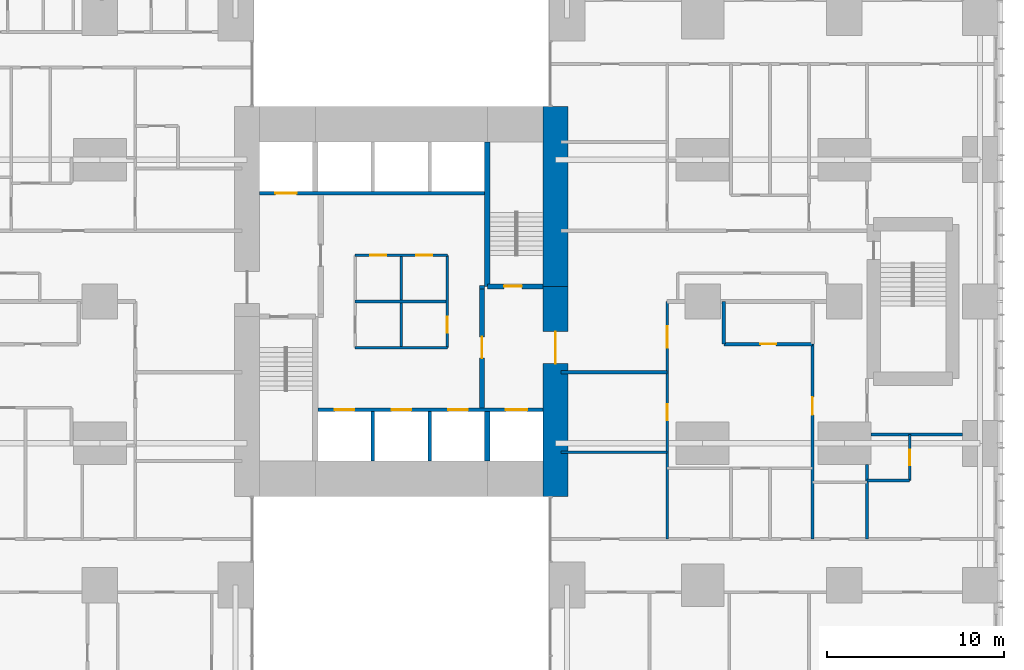
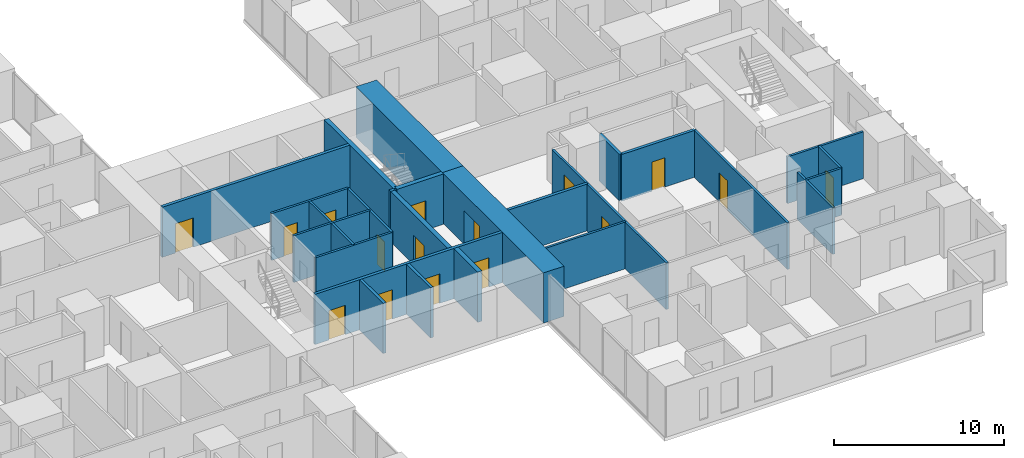
# One storey, part 15 of 20: 26 walls, 16 doors, 16 openings.
"""IFC4 building model written with IfcOpenShell, lengths in metres."""

from ifc_helpers import new_model, si_unit, direction, frame, frame_2d, origin, place, context, subcontext, project, spatial, rectangle, extrude, material, layer, layer_set, type_object, element, fill, save


model = new_model("IFC4")

# Units and contexts
model_context = context("Model", 3, precision=1e-05, world=origin(), true_north=direction((0.0, 1.0)))
body_context = subcontext(model_context, "Body", "Model", "MODEL_VIEW")
ifc_project = project(units=[si_unit("LENGTHUNIT", "METRE"), si_unit("AREAUNIT", "SQUARE_METRE"), si_unit("VOLUMEUNIT", "CUBIC_METRE"), si_unit("PLANEANGLEUNIT", "RADIAN"), si_unit("MASSUNIT", "GRAM", prefix="KILO")], contexts=[model_context])

# Site, building, storey
site_placement = place(None, origin())
site = spatial("IfcSite", under=ifc_project, at=site_placement, CompositionType="ELEMENT")
building_placement = place(site_placement, origin())
building = spatial("IfcBuilding", under=site, at=building_placement, Name="Cleftline Residences", CompositionType="ELEMENT")
storey_placement = place(building_placement, frame((0.0, 0.0, 110.60009765625)))
storey = spatial("IfcBuildingStorey", under=building, at=storey_placement, Name="L28", CompositionType="ELEMENT", Elevation=110.60009765625)

# Wall, opening, door
ifc_material_1 = material(Name="Concrete B70", Category="concrete")
ifc_layer_1 = layer(ifc_material_1, 1.39990234375)
ifc_layer_set_1 = layer_set([ifc_layer_1], Name="CORE WALL 1400")
wall_type_1 = type_object("IfcWallType", Name="CORE WALL 1400", PredefinedType="SHEAR", material=ifc_layer_set_1)
wall_1_placement = place(storey_placement, frame((41.699951171875, 13.0, 0.0), z_axis=(0.0, 0.0, 1.0), x_axis=(0.0, 1.0, 0.0)))
wall_1 = element("IfcWall", 1, at=wall_1_placement, inside=storey, type_object=wall_type_1, Name="Core wall E", PredefinedType="SHEAR", context=body_context, shape_type="SweptSolid", body=[
    extrude(rectangle(XDim=11.85009765625, YDim=1.39990234375, at=frame_2d((5.925048828125, 0.0))), origin(), (0.0, 0.0, 1.0), 3.599853515625),
])
opening_1_placement = place(wall_1_placement, frame((7.5, 0.0, 0.0)))
opening_1 = element("IfcOpeningElement", 2, at=opening_1_placement, cuts=wall_1, Name="Opening D7", PredefinedType="OPENING", context=body_context, shape_type="SweptSolid", body=[
    extrude(rectangle(XDim=1.800048828125, YDim=2.39990234375, at=frame_2d((0.89990234375, 1.199951171875))), frame((0.0, 0.7099609375, 0.0), z_axis=(0.0, -1.0, 0.0), x_axis=(1.0, 0.0, 0.0)), (0.0, 0.0, 1.0), 1.419921875),
])
ifc_material_2 = material(Name="Steel", Category="steel")
door_type_1 = type_object("IfcDoorType", Name="WING DOOR 1800X2400", OperationType="DOUBLE_DOOR_DOUBLE_SWING", PredefinedType="DOOR", material=ifc_material_2)
door_1_placement = place(opening_1_placement, origin())
door_1 = element("IfcDoor", 3, at=door_1_placement, inside=storey, type_object=door_type_1, Name="East wing door", OperationType="DOUBLE_DOOR_DOUBLE_SWING", OverallHeight=2.39990234375, OverallWidth=1.800048828125, PredefinedType="DOOR", context=body_context, shape_type="SweptSolid", body=[
    extrude(rectangle(XDim=1.800048828125, YDim=2.39990234375, at=frame_2d((0.89990234375, 1.199951171875))), frame((0.0, 0.02490234375, 0.0), z_axis=(0.0, -1.0, 0.0), x_axis=(1.0, 0.0, 0.0)), (0.0, 0.0, 1.0), 0.050048828125),
])
fill(opening_1, door_1)

# Walls
wall_2_placement = place(storey_placement, frame((41.699951171875, 24.85009765625, 0.0), z_axis=(0.0, 0.0, 1.0), x_axis=(0.0, 1.0, 0.0)))
element("IfcWall", 4, at=wall_2_placement, inside=storey, type_object=wall_type_1, Name="Core wall E1", PredefinedType="SHEAR", context=body_context, shape_type="SweptSolid", body=[
    extrude(rectangle(XDim=10.14990234375, YDim=1.39990234375, at=frame_2d((5.074951171875, 0.0))), origin(), (0.0, 0.0, 1.0), 3.599853515625),
])
ifc_material_3 = material(Name="Concrete B70", Category="concrete")
ifc_layer_2 = layer(ifc_material_3, 0.300048828125)
ifc_layer_set_2 = layer_set([ifc_layer_2], Name="CORE WALL 300")
wall_type_2 = type_object("IfcWallType", Name="CORE WALL 300", PredefinedType="SHEAR", material=ifc_layer_set_2)
wall_3_placement = place(storey_placement, frame((37.85009765625, 24.85009765625, 0.0), z_axis=(0.0, 0.0, 1.0), x_axis=(0.0, 1.0, 0.0)))
element("IfcWall", 5, at=wall_3_placement, inside=storey, type_object=wall_type_2, Name="Core wall SB-W", PredefinedType="SHEAR", context=body_context, shape_type="SweptSolid", body=[
    extrude(rectangle(XDim=8.14990234375, YDim=0.300048828125, at=frame_2d((4.074951171875, 0.0))), origin(), (0.0, 0.0, 1.0), 3.599853515625),
])

# Wall, opening, door
wall_4_placement = place(storey_placement, frame((37.85009765625, 24.85009765625, 0.0), z_axis=(0.0, 0.0, 1.0), x_axis=(1.0, 0.0, 0.0)))
wall_4 = element("IfcWall", 6, at=wall_4_placement, inside=storey, type_object=wall_type_2, Name="Core wall SB-S", PredefinedType="SHEAR", context=body_context, shape_type="SweptSolid", body=[
    extrude(rectangle(XDim=3.14990234375, YDim=0.300048828125, at=frame_2d((1.574951171875, 0.0))), origin(), (0.0, 0.0, 1.0), 3.599853515625),
])
opening_2_placement = place(wall_4_placement, frame((0.949951171875, 0.0, 0.0)))
opening_2 = element("IfcOpeningElement", 7, at=opening_2_placement, cuts=wall_4, Name="Opening D5", PredefinedType="OPENING", context=body_context, shape_type="SweptSolid", body=[
    extrude(rectangle(XDim=1.0, YDim=2.10009765625, at=frame_2d((0.5, 1.050048828125))), frame((0.0, 0.159912109375, 0.0), z_axis=(0.0, -1.0, 0.0), x_axis=(1.0, 0.0, 0.0)), (0.0, 0.0, 1.0), 0.320068359375),
])
ifc_material_4 = material(Name="Steel", Category="steel")
door_type_2 = type_object("IfcDoorType", Name="STAIR DOOR 1000X2100", OperationType="SINGLE_SWING_LEFT", PredefinedType="DOOR", material=ifc_material_4)
door_2_placement = place(opening_2_placement, origin())
door_2 = element("IfcDoor", 8, at=door_2_placement, inside=storey, type_object=door_type_2, Name="Stair B door", OperationType="SINGLE_SWING_RIGHT", OverallHeight=2.10009765625, OverallWidth=1.0, PredefinedType="DOOR", context=body_context, shape_type="SweptSolid", body=[
    extrude(rectangle(XDim=1.0, YDim=2.10009765625, at=frame_2d((0.5, 1.050048828125))), frame((0.0, 0.02490234375, 0.0), z_axis=(0.0, -1.0, 0.0), x_axis=(1.0, 0.0, 0.0)), (0.0, 0.0, 1.0), 0.050048828125),
])
fill(opening_2, door_2)

# Walls
wall_5_placement = place(storey_placement, frame((37.85009765625, 15.0, 0.0), z_axis=(0.0, 0.0, 1.0), x_axis=(0.0, 1.0, 0.0)))
element("IfcWall", 9, at=wall_5_placement, inside=storey, type_object=wall_type_2, Name="Lift shaft wall", PredefinedType="SHEAR", context=body_context, shape_type="SweptSolid", body=[
    extrude(rectangle(XDim=2.800048828125, YDim=0.300048828125, at=frame_2d((1.39990234375, 0.0))), origin(), (0.0, 0.0, 1.0), 3.599853515625),
])
ifc_material_5 = material(Name="Concrete blockwork, fire rated", Category="masonry")
ifc_layer_3 = layer(ifc_material_5, 0.199951171875)
ifc_layer_set_3 = layer_set([ifc_layer_3], Name="FIRE WALL 200")
wall_type_3 = type_object("IfcWallType", Name="FIRE WALL 200", PredefinedType="PARTITIONING", material=ifc_layer_set_3)
wall_6_placement = place(storey_placement, frame((42.0, 20.0, 0.0), z_axis=(0.0, 0.0, 1.0), x_axis=(1.0, 0.0, 0.0)))
element("IfcWall", 10, at=wall_6_placement, inside=storey, type_object=wall_type_3, Name="Fire separating wall", PredefinedType="PARTITIONING", context=body_context, shape_type="SweptSolid", body=[
    extrude(rectangle(XDim=6.0, YDim=0.199951171875, at=frame_2d((3.0, 0.0))), origin(), (0.0, 0.0, 1.0), 3.349853515625),
])

# Wall, opening, door
wall_7_placement = place(storey_placement, frame((51.199951171875, 21.60009765625, 0.0), z_axis=(0.0, 0.0, 1.0), x_axis=(1.0, 0.0, 0.0)))
wall_7 = element("IfcWall", 11, at=wall_7_placement, inside=storey, type_object=wall_type_3, Name="Fire separating wall", PredefinedType="PARTITIONING", context=body_context, shape_type="SweptSolid", body=[
    extrude(rectangle(XDim=5.0, YDim=0.199951171875, at=frame_2d((2.5, 0.0))), origin(), (0.0, 0.0, 1.0), 3.349853515625),
])
opening_3_placement = place(wall_7_placement, frame((2.050048828125, 0.0, 0.0)))
opening_3 = element("IfcOpeningElement", 12, at=opening_3_placement, cuts=wall_7, Name="Opening D1F30", PredefinedType="OPENING", context=body_context, shape_type="SweptSolid", body=[
    extrude(rectangle(XDim=0.89990234375, YDim=2.10009765625, at=frame_2d((0.449951171875, 1.050048828125))), frame((0.0, 0.10986328125, 0.0), z_axis=(0.0, -1.0, 0.0), x_axis=(1.0, 0.0, 0.0)), (0.0, 0.0, 1.0), 0.219970703125),
])
ifc_material_6 = material(Name="Timber veneer on solid core", Category="wood")
door_type_3 = type_object("IfcDoorType", Name="DOOR 900X2100 EI 30", OperationType="SINGLE_SWING_LEFT", PredefinedType="DOOR", material=ifc_material_6)
door_3_placement = place(opening_3_placement, origin())
door_3 = element("IfcDoor", 13, at=door_3_placement, inside=storey, type_object=door_type_3, Name="Door to cloakroom wc", OperationType="SINGLE_SWING_LEFT", OverallHeight=2.10009765625, OverallWidth=0.89990234375, PredefinedType="DOOR", context=body_context, shape_type="SweptSolid", body=[
    extrude(rectangle(XDim=0.89990234375, YDim=2.10009765625, at=frame_2d((0.449951171875, 1.050048828125))), frame((0.0, 0.02490234375, 0.0), z_axis=(0.0, -1.0, 0.0), x_axis=(1.0, 0.0, 0.0)), (0.0, 0.0, 1.0), 0.050048828125),
])
fill(opening_3, door_3)

# Walls
wall_8_placement = place(storey_placement, frame((51.199951171875, 21.60009765625, 0.0), z_axis=(0.0, 0.0, 1.0), x_axis=(0.0, 1.0, 0.0)))
element("IfcWall", 14, at=wall_8_placement, inside=storey, type_object=wall_type_3, Name="Fire separating wall", PredefinedType="PARTITIONING", context=body_context, shape_type="SweptSolid", body=[
    extrude(rectangle(XDim=2.39990234375, YDim=0.199951171875, at=frame_2d((1.199951171875, 0.0))), origin(), (0.0, 0.0, 1.0), 3.349853515625),
])
wall_9_placement = place(storey_placement, frame((37.39990234375, 24.800048828125, 0.0), z_axis=(0.0, 0.0, 1.0), x_axis=(1.0, 0.0, 0.0)))
element("IfcWall", 15, at=wall_9_placement, inside=storey, type_object=wall_type_3, Name="Fire separating wall", PredefinedType="PARTITIONING", context=body_context, shape_type="SweptSolid", body=[
    extrude(rectangle(XDim=0.300048828125, YDim=0.199951171875, at=frame_2d((0.14990234375, 0.0))), origin(), (0.0, 0.0, 1.0), 3.599853515625),
])
ifc_material_7 = material(Name="Gypsum board on steel studs", Category="steel")
ifc_layer_4 = layer(ifc_material_7, 0.14990234375)
ifc_layer_set_4 = layer_set([ifc_layer_4], Name="PARTITION 150")
wall_type_4 = type_object("IfcWallType", Name="PARTITION 150", PredefinedType="PARTITIONING", material=ifc_layer_set_4)
wall_10_placement = place(storey_placement, frame((59.27490234375, 13.89990234375, 0.0), z_axis=(0.0, 0.0, 1.0), x_axis=(1.0, 0.0, 0.0)))
element("IfcWall", 16, at=wall_10_placement, inside=storey, type_object=wall_type_4, Name="Partition", PredefinedType="PARTITIONING", context=body_context, shape_type="SweptSolid", body=[
    extrude(rectangle(XDim=2.400146484375, YDim=0.14990234375, at=frame_2d((1.2001953125, 0.0))), origin(), (0.0, 0.0, 1.0), 3.349853515625),
])
wall_11_placement = place(storey_placement, frame((42.0, 15.5, 0.0), z_axis=(0.0, 0.0, 1.0), x_axis=(1.0, 0.0, 0.0)))
element("IfcWall", 17, at=wall_11_placement, inside=storey, type_object=wall_type_4, Name="Partition", PredefinedType="PARTITIONING", context=body_context, shape_type="SweptSolid", body=[
    extrude(rectangle(XDim=6.0, YDim=0.14990234375, at=frame_2d((3.0, 0.0))), origin(), (0.0, 0.0, 1.0), 3.349853515625),
])
wall_12_placement = place(storey_placement, frame((59.5, 16.5, 0.0), z_axis=(0.0, 0.0, 1.0), x_axis=(1.0, 0.0, 0.0)))
element("IfcWall", 18, at=wall_12_placement, inside=storey, type_object=wall_type_4, Name="Partition", PredefinedType="PARTITIONING", context=body_context, shape_type="SweptSolid", body=[
    extrude(rectangle(XDim=5.14990234375, YDim=0.14990234375, at=frame_2d((2.574951171875, 0.0))), origin(), (0.0, 0.0, 1.0), 3.349853515625),
])

# Wall, openings, doors
wall_13_placement = place(storey_placement, frame((48.0, 10.60009765625, 0.0), z_axis=(0.0, 0.0, 1.0), x_axis=(0.0, 1.0, 0.0)))
wall_13 = element("IfcWall", 19, at=wall_13_placement, inside=storey, type_object=wall_type_4, Name="Partition", PredefinedType="PARTITIONING", context=body_context, shape_type="SweptSolid", body=[
    extrude(rectangle(XDim=13.39990234375, YDim=0.14990234375, at=frame_2d((6.699951171875, 0.0))), origin(), (0.0, 0.0, 1.0), 3.349853515625),
])
opening_4_placement = place(wall_13_placement, frame((10.800048828125, 0.0, 0.0)))
opening_4 = element("IfcOpeningElement", 20, at=opening_4_placement, cuts=wall_13, Name="Opening D4", PredefinedType="OPENING", context=body_context, shape_type="SweptSolid", body=[
    extrude(rectangle(XDim=1.199951171875, YDim=2.39990234375, at=frame_2d((0.60009765625, 1.199951171875))), frame((0.0, 0.0849609375, 0.0), z_axis=(0.0, -1.0, 0.0), x_axis=(1.0, 0.0, 0.0)), (0.0, 0.0, 1.0), 0.169921875),
])
opening_5_placement = place(wall_13_placement, frame((6.699951171875, 0.0, 0.0)))
opening_5 = element("IfcOpeningElement", 21, at=opening_5_placement, cuts=wall_13, Name="Opening D1F60", PredefinedType="OPENING", context=body_context, shape_type="SweptSolid", body=[
    extrude(rectangle(XDim=0.89990234375, YDim=2.10009765625, at=frame_2d((0.449951171875, 1.050048828125))), frame((0.0, 0.0849609375, 0.0), z_axis=(0.0, -1.0, 0.0), x_axis=(1.0, 0.0, 0.0)), (0.0, 0.0, 1.0), 0.169921875),
])
ifc_material_8 = material(Name="Timber veneer on solid core", Category="wood")
door_type_4 = type_object("IfcDoorType", Name="APARTMENT ENTRANCE DOOR 1200X2400", OperationType="SINGLE_SWING_RIGHT", PredefinedType="DOOR", material=ifc_material_8)
door_4_placement = place(opening_4_placement, origin())
door_4 = element("IfcDoor", 22, at=door_4_placement, inside=storey, type_object=door_type_4, Name="Door to residence entrance foyer", OperationType="SINGLE_SWING_LEFT", OverallHeight=2.39990234375, OverallWidth=1.199951171875, PredefinedType="DOOR", context=body_context, shape_type="SweptSolid", body=[
    extrude(rectangle(XDim=1.199951171875, YDim=2.39990234375, at=frame_2d((0.60009765625, 1.199951171875))), frame((0.0, 0.02490234375, 0.0), z_axis=(0.0, -1.0, 0.0), x_axis=(1.0, 0.0, 0.0)), (0.0, 0.0, 1.0), 0.050048828125),
])
fill(opening_4, door_4)
ifc_material_9 = material(Name="Timber veneer on solid core", Category="wood")
door_type_5 = type_object("IfcDoorType", Name="DOOR 900X2100 EI 60", OperationType="SINGLE_SWING_LEFT", PredefinedType="DOOR", material=ifc_material_9)
door_5_placement = place(opening_5_placement, origin())
door_5 = element("IfcDoor", 23, at=door_5_placement, inside=storey, type_object=door_type_5, Name="Door to utility room", OperationType="SINGLE_SWING_LEFT", OverallHeight=2.10009765625, OverallWidth=0.89990234375, PredefinedType="DOOR", context=body_context, shape_type="SweptSolid", body=[
    extrude(rectangle(XDim=0.89990234375, YDim=2.10009765625, at=frame_2d((0.449951171875, 1.050048828125))), frame((0.0, 0.02490234375, 0.0), z_axis=(0.0, -1.0, 0.0), x_axis=(1.0, 0.0, 0.0)), (0.0, 0.0, 1.0), 0.050048828125),
])
fill(opening_5, door_5)

# Wall, opening, door
wall_14_placement = place(storey_placement, frame((56.199951171875, 10.60009765625, 0.0), z_axis=(0.0, 0.0, 1.0), x_axis=(0.0, 1.0, 0.0)))
wall_14 = element("IfcWall", 24, at=wall_14_placement, inside=storey, type_object=wall_type_4, Name="Partition", PredefinedType="PARTITIONING", context=body_context, shape_type="SweptSolid", body=[
    extrude(rectangle(XDim=11.0, YDim=0.14990234375, at=frame_2d((5.5, 0.0))), origin(), (0.0, 0.0, 1.0), 3.349853515625),
])
opening_6_placement = place(wall_14_placement, frame((7.0, 0.0, 0.0)))
opening_6 = element("IfcOpeningElement", 25, at=opening_6_placement, cuts=wall_14, Name="Opening D2F30", PredefinedType="OPENING", context=body_context, shape_type="SweptSolid", body=[
    extrude(rectangle(XDim=1.0, YDim=2.10009765625, at=frame_2d((0.5, 1.050048828125))), frame((0.0, 0.0849609375, 0.0), z_axis=(0.0, -1.0, 0.0), x_axis=(1.0, 0.0, 0.0)), (0.0, 0.0, 1.0), 0.169921875),
])
ifc_material_10 = material(Name="Timber veneer on solid core", Category="wood")
door_type_6 = type_object("IfcDoorType", Name="DOOR 1000X2100 EI 30", OperationType="SINGLE_SWING_LEFT", PredefinedType="DOOR", material=ifc_material_10)
door_6_placement = place(opening_6_placement, origin())
door_6 = element("IfcDoor", 26, at=door_6_placement, inside=storey, type_object=door_type_6, Name="Door to residence lobby", OperationType="SINGLE_SWING_LEFT", OverallHeight=2.10009765625, OverallWidth=1.0, PredefinedType="DOOR", context=body_context, shape_type="SweptSolid", body=[
    extrude(rectangle(XDim=1.0, YDim=2.10009765625, at=frame_2d((0.5, 1.050048828125))), frame((0.0, 0.02490234375, 0.0), z_axis=(0.0, -1.0, 0.0), x_axis=(1.0, 0.0, 0.0)), (0.0, 0.0, 1.0), 0.050048828125),
])
fill(opening_6, door_6)

# Wall
wall_15_placement = place(storey_placement, frame((59.27490234375, 10.60009765625, 0.0), z_axis=(0.0, 0.0, 1.0), x_axis=(0.0, 1.0, 0.0)))
element("IfcWall", 27, at=wall_15_placement, inside=storey, type_object=wall_type_4, Name="Partition", PredefinedType="PARTITIONING", context=body_context, shape_type="SweptSolid", body=[
    extrude(rectangle(XDim=4.199951171875, YDim=0.14990234375, at=frame_2d((2.10009765625, 0.0))), origin(), (0.0, 0.0, 1.0), 3.349853515625),
])

# Wall, opening, door
wall_16_placement = place(storey_placement, frame((61.675048828125, 13.89990234375, 0.0), z_axis=(0.0, 0.0, 1.0), x_axis=(0.0, 1.0, 0.0)))
wall_16 = element("IfcWall", 28, at=wall_16_placement, inside=storey, type_object=wall_type_4, Name="Partition", PredefinedType="PARTITIONING", context=body_context, shape_type="SweptSolid", body=[
    extrude(rectangle(XDim=2.60009765625, YDim=0.14990234375, at=frame_2d((1.300048828125, 0.0))), origin(), (0.0, 0.0, 1.0), 3.349853515625),
])
opening_7_placement = place(wall_16_placement, frame((0.85009765625, 0.0, 0.0)))
opening_7 = element("IfcOpeningElement", 29, at=opening_7_placement, cuts=wall_16, Name="Opening D1", PredefinedType="OPENING", context=body_context, shape_type="SweptSolid", body=[
    extrude(rectangle(XDim=0.89990234375, YDim=2.10009765625, at=frame_2d((0.449951171875, 1.050048828125))), frame((0.0, 0.0849609375, 0.0), z_axis=(0.0, -1.0, 0.0), x_axis=(1.0, 0.0, 0.0)), (0.0, 0.0, 1.0), 0.169921875),
])
ifc_material_11 = material(Name="Timber veneer on solid core", Category="wood")
door_type_7 = type_object("IfcDoorType", Name="DOOR 900X2100", OperationType="SINGLE_SWING_LEFT", PredefinedType="DOOR", material=ifc_material_11)
door_7_placement = place(opening_7_placement, origin())
door_7 = element("IfcDoor", 30, at=door_7_placement, inside=storey, type_object=door_type_7, Name="Door to master bathroom", OperationType="SINGLE_SWING_LEFT", OverallHeight=2.10009765625, OverallWidth=0.89990234375, PredefinedType="DOOR", context=body_context, shape_type="SweptSolid", body=[
    extrude(rectangle(XDim=0.89990234375, YDim=2.10009765625, at=frame_2d((0.449951171875, 1.050048828125))), frame((0.0, 0.02490234375, 0.0), z_axis=(0.0, -1.0, 0.0), x_axis=(1.0, 0.0, 0.0)), (0.0, 0.0, 1.0), 0.050048828125),
])
fill(opening_7, door_7)

# Wall
ifc_material_12 = material(Name="Fire-resisting gypsum board on steel studs", Category="steel")
ifc_layer_5 = layer(ifc_material_12, 0.14990234375)
ifc_layer_set_5 = layer_set([ifc_layer_5], Name="PARTITION 150 EI 60")
wall_type_5 = type_object("IfcWallType", Name="PARTITION 150 EI 60", PredefinedType="PARTITIONING", material=ifc_layer_set_5)
wall_17_placement = place(storey_placement, frame((30.39990234375, 21.39990234375, 0.0), z_axis=(0.0, 0.0, 1.0), x_axis=(1.0, 0.0, 0.0)))
element("IfcWall", 31, at=wall_17_placement, inside=storey, type_object=wall_type_5, Name="Core room partition", PredefinedType="PARTITIONING", context=body_context, shape_type="SweptSolid", body=[
    extrude(rectangle(XDim=5.2001953125, YDim=0.14990234375, at=frame_2d((2.60009765625, 0.0))), origin(), (0.0, 0.0, 1.0), 3.349853515625),
])

# Wall, openings, doors
wall_18_placement = place(storey_placement, frame((30.39990234375, 26.60009765625, 0.0), z_axis=(0.0, 0.0, 1.0), x_axis=(1.0, 0.0, 0.0)))
wall_18 = element("IfcWall", 32, at=wall_18_placement, inside=storey, type_object=wall_type_5, Name="Core room partition", PredefinedType="PARTITIONING", context=body_context, shape_type="SweptSolid", body=[
    extrude(rectangle(XDim=5.2001953125, YDim=0.14990234375, at=frame_2d((2.60009765625, 0.0))), origin(), (0.0, 0.0, 1.0), 3.349853515625),
])
opening_8_placement = place(wall_18_placement, frame((0.85009765625, 0.0, 0.0)))
opening_8 = element("IfcOpeningElement", 33, at=opening_8_placement, cuts=wall_18, Name="Opening D1F30", PredefinedType="OPENING", context=body_context, shape_type="SweptSolid", body=[
    extrude(rectangle(XDim=0.89990234375, YDim=2.10009765625, at=frame_2d((0.449951171875, 1.050048828125))), frame((0.0, 0.0849609375, 0.0), z_axis=(0.0, -1.0, 0.0), x_axis=(1.0, 0.0, 0.0)), (0.0, 0.0, 1.0), 0.169921875),
])
opening_9_placement = place(wall_18_placement, frame((3.449951171875, 0.0, 0.0)))
opening_9 = element("IfcOpeningElement", 34, at=opening_9_placement, cuts=wall_18, Name="Opening D1F30", PredefinedType="OPENING", context=body_context, shape_type="SweptSolid", body=[
    extrude(rectangle(XDim=0.89990234375, YDim=2.10009765625, at=frame_2d((0.449951171875, 1.050048828125))), frame((0.0, 0.0849609375, 0.0), z_axis=(0.0, -1.0, 0.0), x_axis=(1.0, 0.0, 0.0)), (0.0, 0.0, 1.0), 0.169921875),
])
door_8_placement = place(opening_8_placement, origin())
door_8 = element("IfcDoor", 35, at=door_8_placement, inside=storey, type_object=door_type_3, Name="Door to linen store", OperationType="SINGLE_SWING_RIGHT", OverallHeight=2.10009765625, OverallWidth=0.89990234375, PredefinedType="DOOR", context=body_context, shape_type="SweptSolid", body=[
    extrude(rectangle(XDim=0.89990234375, YDim=2.10009765625, at=frame_2d((0.449951171875, 1.050048828125))), frame((0.0, 0.02490234375, 0.0), z_axis=(0.0, -1.0, 0.0), x_axis=(1.0, 0.0, 0.0)), (0.0, 0.0, 1.0), 0.050048828125),
])
fill(opening_8, door_8)
door_9_placement = place(opening_9_placement, origin())
door_9 = element("IfcDoor", 36, at=door_9_placement, inside=storey, type_object=door_type_3, Name="Door to guest pantry", OperationType="SINGLE_SWING_LEFT", OverallHeight=2.10009765625, OverallWidth=0.89990234375, PredefinedType="DOOR", context=body_context, shape_type="SweptSolid", body=[
    extrude(rectangle(XDim=0.89990234375, YDim=2.10009765625, at=frame_2d((0.449951171875, 1.050048828125))), frame((0.0, 0.02490234375, 0.0), z_axis=(0.0, -1.0, 0.0), x_axis=(1.0, 0.0, 0.0)), (0.0, 0.0, 1.0), 0.050048828125),
])
fill(opening_9, door_9)

# Wall, opening, door
wall_19_placement = place(storey_placement, frame((35.60009765625, 21.39990234375, 0.0), z_axis=(0.0, 0.0, 1.0), x_axis=(0.0, 1.0, 0.0)))
wall_19 = element("IfcWall", 37, at=wall_19_placement, inside=storey, type_object=wall_type_5, Name="Core room partition", PredefinedType="PARTITIONING", context=body_context, shape_type="SweptSolid", body=[
    extrude(rectangle(XDim=5.2001953125, YDim=0.14990234375, at=frame_2d((2.60009765625, 0.0))), origin(), (0.0, 0.0, 1.0), 3.349853515625),
])
opening_10_placement = place(wall_19_placement, frame((0.85009765625, 0.0, 0.0)))
opening_10 = element("IfcOpeningElement", 38, at=opening_10_placement, cuts=wall_19, Name="Opening D1F30", PredefinedType="OPENING", context=body_context, shape_type="SweptSolid", body=[
    extrude(rectangle(XDim=0.89990234375, YDim=2.10009765625, at=frame_2d((0.449951171875, 1.050048828125))), frame((0.0, 0.0849609375, 0.0), z_axis=(0.0, -1.0, 0.0), x_axis=(1.0, 0.0, 0.0)), (0.0, 0.0, 1.0), 0.169921875),
])
door_10_placement = place(opening_10_placement, origin())
door_10 = element("IfcDoor", 39, at=door_10_placement, inside=storey, type_object=door_type_3, Name="Door to housekeeping store", OperationType="SINGLE_SWING_RIGHT", OverallHeight=2.10009765625, OverallWidth=0.89990234375, PredefinedType="DOOR", context=body_context, shape_type="SweptSolid", body=[
    extrude(rectangle(XDim=0.89990234375, YDim=2.10009765625, at=frame_2d((0.449951171875, 1.050048828125))), frame((0.0, 0.02490234375, 0.0), z_axis=(0.0, -1.0, 0.0), x_axis=(1.0, 0.0, 0.0)), (0.0, 0.0, 1.0), 0.050048828125),
])
fill(opening_10, door_10)

# Walls
for number, where, z_axis, x_axis, name in (
    (40, (30.39990234375, 24.0, 0.0), (0.0, 0.0, 1.0), (1.0, 0.0, 0.0), "Core room partition"),
    (41, (33.0, 21.39990234375, 0.0), (0.0, 0.0, 1.0), (0.0, 1.0, 0.0), "Core room partition"),
):
    element("IfcWall", number, at=place(storey_placement, frame(where, z_axis=z_axis, x_axis=x_axis)), inside=storey, type_object=wall_type_5, Name=name, PredefinedType="PARTITIONING", context=body_context, shape_type="SweptSolid", body=[
        extrude(rectangle(XDim=5.2001953125, YDim=0.14990234375, at=frame_2d((2.60009765625, 0.0))), origin(), (0.0, 0.0, 1.0), 3.349853515625),
    ])

# Wall, openings, doors
ifc_material_13 = material(Name="Concrete blockwork, fire rated", Category="masonry")
ifc_layer_6 = layer(ifc_material_13, 0.199951171875)
ifc_layer_set_6 = layer_set([ifc_layer_6], Name="SHAFT WALL 200")
wall_type_6 = type_object("IfcWallType", Name="SHAFT WALL 200", PredefinedType="PARTITIONING", material=ifc_layer_set_6)
wall_20_placement = place(storey_placement, frame((28.300048828125, 17.89990234375, 0.0), z_axis=(0.0, 0.0, 1.0), x_axis=(1.0, 0.0, 0.0)))
wall_20 = element("IfcWall", 42, at=wall_20_placement, inside=storey, type_object=wall_type_6, Name="Lift shaft wall", PredefinedType="PARTITIONING", context=body_context, shape_type="SweptSolid", body=[
    extrude(rectangle(XDim=12.699951171875, YDim=0.199951171875, at=frame_2d((6.35009765625, 0.0))), origin(), (0.0, 0.0, 1.0), 3.599853515625),
])
opening_11_placement = place(wall_20_placement, frame((0.949951171875, 0.0, 0.0)))
opening_11 = element("IfcOpeningElement", 43, at=opening_11_placement, cuts=wall_20, Name="Opening LD1", PredefinedType="OPENING", context=body_context, shape_type="SweptSolid", body=[
    extrude(rectangle(XDim=1.10009765625, YDim=2.10009765625, at=frame_2d((0.550048828125, 1.050048828125))), frame((0.0, 0.10986328125, 0.0), z_axis=(0.0, -1.0, 0.0), x_axis=(1.0, 0.0, 0.0)), (0.0, 0.0, 1.0), 0.219970703125),
])
opening_12_placement = place(wall_20_placement, frame((4.14990234375, 0.0, 0.0)))
opening_12 = element("IfcOpeningElement", 44, at=opening_12_placement, cuts=wall_20, Name="Opening LD1", PredefinedType="OPENING", context=body_context, shape_type="SweptSolid", body=[
    extrude(rectangle(XDim=1.10009765625, YDim=2.10009765625, at=frame_2d((0.550048828125, 1.050048828125))), frame((0.0, 0.10986328125, 0.0), z_axis=(0.0, -1.0, 0.0), x_axis=(1.0, 0.0, 0.0)), (0.0, 0.0, 1.0), 0.219970703125),
])
opening_13_placement = place(wall_20_placement, frame((7.35009765625, 0.0, 0.0)))
opening_13 = element("IfcOpeningElement", 45, at=opening_13_placement, cuts=wall_20, Name="Opening LD1", PredefinedType="OPENING", context=body_context, shape_type="SweptSolid", body=[
    extrude(rectangle(XDim=1.10009765625, YDim=2.10009765625, at=frame_2d((0.550048828125, 1.050048828125))), frame((0.0, 0.10986328125, 0.0), z_axis=(0.0, -1.0, 0.0), x_axis=(1.0, 0.0, 0.0)), (0.0, 0.0, 1.0), 0.219970703125),
])
opening_14_placement = place(wall_20_placement, frame((10.60009765625, 0.0, 0.0)))
opening_14 = element("IfcOpeningElement", 46, at=opening_14_placement, cuts=wall_20, Name="Opening LD2", PredefinedType="OPENING", context=body_context, shape_type="SweptSolid", body=[
    extrude(rectangle(XDim=1.199951171875, YDim=2.10009765625, at=frame_2d((0.60009765625, 1.050048828125))), frame((0.0, 0.10986328125, 0.0), z_axis=(0.0, -1.0, 0.0), x_axis=(1.0, 0.0, 0.0)), (0.0, 0.0, 1.0), 0.219970703125),
])
ifc_material_14 = material(Name="Steel", Category="steel")
door_type_8 = type_object("IfcDoorType", Name="FIREFIGHTING LIFT LANDING DOOR 1200X2100", OperationType="SLIDING_TO_LEFT", PredefinedType="DOOR", material=ifc_material_14)
door_11_placement = place(opening_14_placement, origin())
door_11 = element("IfcDoor", 47, at=door_11_placement, inside=storey, type_object=door_type_8, Name="Lift FL2 landing door", OperationType="SLIDING_TO_LEFT", OverallHeight=2.10009765625, OverallWidth=1.199951171875, PredefinedType="DOOR", context=body_context, shape_type="SweptSolid", body=[
    extrude(rectangle(XDim=1.199951171875, YDim=2.10009765625, at=frame_2d((0.60009765625, 1.050048828125))), frame((0.0, 0.02490234375, 0.0), z_axis=(0.0, -1.0, 0.0), x_axis=(1.0, 0.0, 0.0)), (0.0, 0.0, 1.0), 0.050048828125),
])
fill(opening_14, door_11)
ifc_material_15 = material(Name="Steel", Category="steel")
door_type_9 = type_object("IfcDoorType", Name="LIFT LANDING DOOR 1100X2100", OperationType="SLIDING_TO_LEFT", PredefinedType="DOOR", material=ifc_material_15)
door_12_placement = place(opening_11_placement, origin())
door_12 = element("IfcDoor", 48, at=door_12_placement, inside=storey, type_object=door_type_9, Name="Lift P1 landing door", OperationType="SLIDING_TO_LEFT", OverallHeight=2.10009765625, OverallWidth=1.10009765625, PredefinedType="DOOR", context=body_context, shape_type="SweptSolid", body=[
    extrude(rectangle(XDim=1.10009765625, YDim=2.10009765625, at=frame_2d((0.550048828125, 1.050048828125))), frame((0.0, 0.02490234375, 0.0), z_axis=(0.0, -1.0, 0.0), x_axis=(1.0, 0.0, 0.0)), (0.0, 0.0, 1.0), 0.050048828125),
])
fill(opening_11, door_12)
door_13_placement = place(opening_12_placement, origin())
door_13 = element("IfcDoor", 49, at=door_13_placement, inside=storey, type_object=door_type_9, Name="Lift P2 landing door", OperationType="SLIDING_TO_LEFT", OverallHeight=2.10009765625, OverallWidth=1.10009765625, PredefinedType="DOOR", context=body_context, shape_type="SweptSolid", body=[
    extrude(rectangle(XDim=1.10009765625, YDim=2.10009765625, at=frame_2d((0.550048828125, 1.050048828125))), frame((0.0, 0.02490234375, 0.0), z_axis=(0.0, -1.0, 0.0), x_axis=(1.0, 0.0, 0.0)), (0.0, 0.0, 1.0), 0.050048828125),
])
fill(opening_12, door_13)
door_14_placement = place(opening_13_placement, origin())
door_14 = element("IfcDoor", 50, at=door_14_placement, inside=storey, type_object=door_type_9, Name="Lift P3 landing door", OperationType="SLIDING_TO_LEFT", OverallHeight=2.10009765625, OverallWidth=1.10009765625, PredefinedType="DOOR", context=body_context, shape_type="SweptSolid", body=[
    extrude(rectangle(XDim=1.10009765625, YDim=2.10009765625, at=frame_2d((0.550048828125, 1.050048828125))), frame((0.0, 0.02490234375, 0.0), z_axis=(0.0, -1.0, 0.0), x_axis=(1.0, 0.0, 0.0)), (0.0, 0.0, 1.0), 0.050048828125),
])
fill(opening_13, door_14)

# Wall, opening, door
wall_21_placement = place(storey_placement, frame((25.0, 30.10009765625, 0.0), z_axis=(0.0, 0.0, 1.0), x_axis=(1.0, 0.0, 0.0)))
wall_21 = element("IfcWall", 51, at=wall_21_placement, inside=storey, type_object=wall_type_6, Name="Lift shaft wall", PredefinedType="PARTITIONING", context=body_context, shape_type="SweptSolid", body=[
    extrude(rectangle(XDim=12.699951171875, YDim=0.199951171875, at=frame_2d((6.35009765625, 0.0))), origin(), (0.0, 0.0, 1.0), 3.599853515625),
])
opening_15_placement = place(wall_21_placement, frame((0.89990234375, 0.0, 0.0)))
opening_15 = element("IfcOpeningElement", 52, at=opening_15_placement, cuts=wall_21, Name="Opening LD2", PredefinedType="OPENING", context=body_context, shape_type="SweptSolid", body=[
    extrude(rectangle(XDim=1.199951171875, YDim=2.10009765625, at=frame_2d((0.60009765625, 1.050048828125))), frame((0.0, 0.10986328125, 0.0), z_axis=(0.0, -1.0, 0.0), x_axis=(1.0, 0.0, 0.0)), (0.0, 0.0, 1.0), 0.219970703125),
])
door_15_placement = place(opening_15_placement, origin())
door_15 = element("IfcDoor", 53, at=door_15_placement, inside=storey, type_object=door_type_8, Name="Lift FL1 landing door", OperationType="SLIDING_TO_LEFT", OverallHeight=2.10009765625, OverallWidth=1.199951171875, PredefinedType="DOOR", context=body_context, shape_type="SweptSolid", body=[
    extrude(rectangle(XDim=1.199951171875, YDim=2.10009765625, at=frame_2d((0.60009765625, 1.050048828125))), frame((0.0, 0.02490234375, 0.0), z_axis=(0.0, -1.0, 0.0), x_axis=(1.0, 0.0, 0.0)), (0.0, 0.0, 1.0), 0.050048828125),
])
fill(opening_15, door_15)

# Walls
for number, where, z_axis, x_axis, name in (
    (54, (31.39990234375, 15.0, 0.0), (0.0, 0.0, 1.0), (0.0, 1.0, 0.0), "Lift shaft wall"),
    (55, (34.60009765625, 15.0, 0.0), (0.0, 0.0, 1.0), (0.0, 1.0, 0.0), "Lift shaft wall"),
):
    element("IfcWall", number, at=place(storey_placement, frame(where, z_axis=z_axis, x_axis=x_axis)), inside=storey, type_object=wall_type_6, Name=name, PredefinedType="PARTITIONING", context=body_context, shape_type="SweptSolid", body=[
        extrude(rectangle(XDim=2.800048828125, YDim=0.199951171875, at=frame_2d((1.39990234375, 0.0))), origin(), (0.0, 0.0, 1.0), 3.599853515625),
    ])

# Wall, opening, door
ifc_material_16 = material(Name="Concrete blockwork, fire rated", Category="masonry")
ifc_layer_7 = layer(ifc_material_16, 0.300048828125)
ifc_layer_set_7 = layer_set([ifc_layer_7], Name="STAIR LOBBY WALL 300")
wall_type_7 = type_object("IfcWallType", Name="STAIR LOBBY WALL 300", PredefinedType="PARTITIONING", material=ifc_layer_set_7)
wall_22_placement = place(storey_placement, frame((37.550048828125, 18.0, 0.0), z_axis=(0.0, 0.0, 1.0), x_axis=(0.0, 1.0, 0.0)))
wall_22 = element("IfcWall", 56, at=wall_22_placement, inside=storey, type_object=wall_type_7, Name="Stair and lobby wall FB-W", PredefinedType="PARTITIONING", context=body_context, shape_type="SweptSolid", body=[
    extrude(rectangle(XDim=6.699951171875, YDim=0.300048828125, at=frame_2d((3.35009765625, 0.0))), origin(), (0.0, 0.0, 1.0), 3.599853515625),
])
opening_16_placement = place(wall_22_placement, frame((2.800048828125, 0.0, 0.0)))
opening_16 = element("IfcOpeningElement", 57, at=opening_16_placement, cuts=wall_22, Name="Opening D6", PredefinedType="OPENING", context=body_context, shape_type="SweptSolid", body=[
    extrude(rectangle(XDim=1.199951171875, YDim=2.10009765625, at=frame_2d((0.60009765625, 1.050048828125))), frame((0.0, 0.159912109375, 0.0), z_axis=(0.0, -1.0, 0.0), x_axis=(1.0, 0.0, 0.0)), (0.0, 0.0, 1.0), 0.320068359375),
])
ifc_material_17 = material(Name="Steel", Category="steel")
door_type_10 = type_object("IfcDoorType", Name="LOBBY DOOR 1200X2100", OperationType="SINGLE_SWING_RIGHT", PredefinedType="DOOR", material=ifc_material_17)
door_16_placement = place(opening_16_placement, origin())
door_16 = element("IfcDoor", 58, at=door_16_placement, inside=storey, type_object=door_type_10, Name="Firefighting lobby B door", OperationType="SINGLE_SWING_LEFT", OverallHeight=2.10009765625, OverallWidth=1.199951171875, PredefinedType="DOOR", context=body_context, shape_type="SweptSolid", body=[
    extrude(rectangle(XDim=1.199951171875, YDim=2.10009765625, at=frame_2d((0.60009765625, 1.050048828125))), frame((0.0, 0.02490234375, 0.0), z_axis=(0.0, -1.0, 0.0), x_axis=(1.0, 0.0, 0.0)), (0.0, 0.0, 1.0), 0.050048828125),
])
fill(opening_16, door_16)

save(model, "model.ifc")
